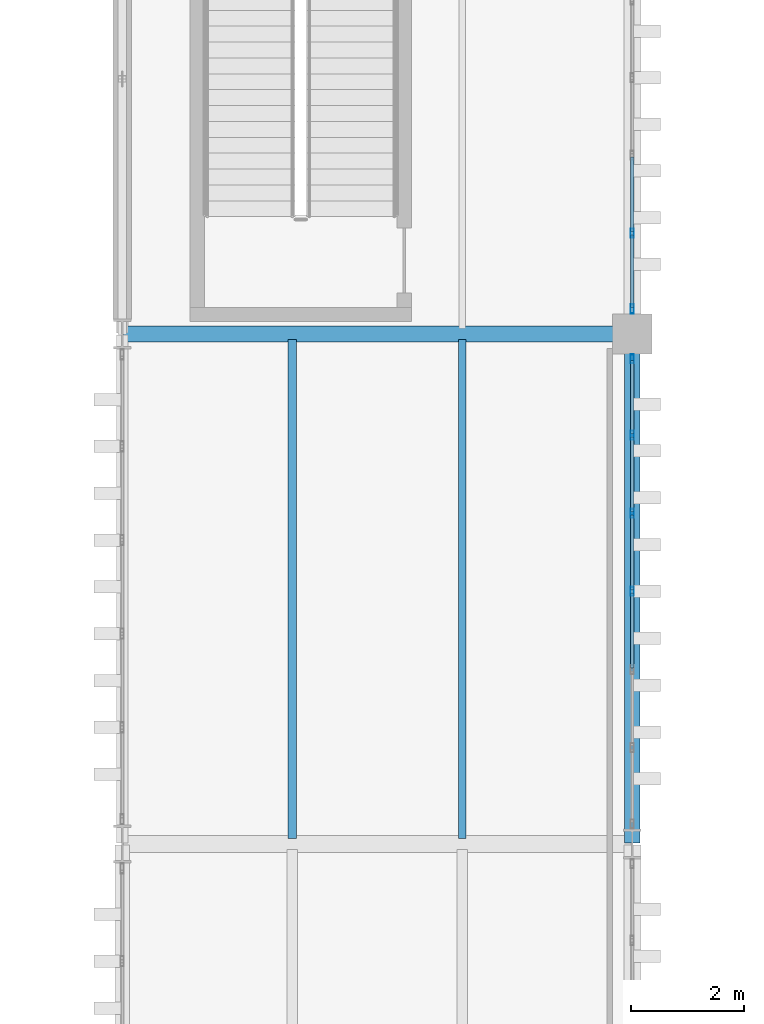
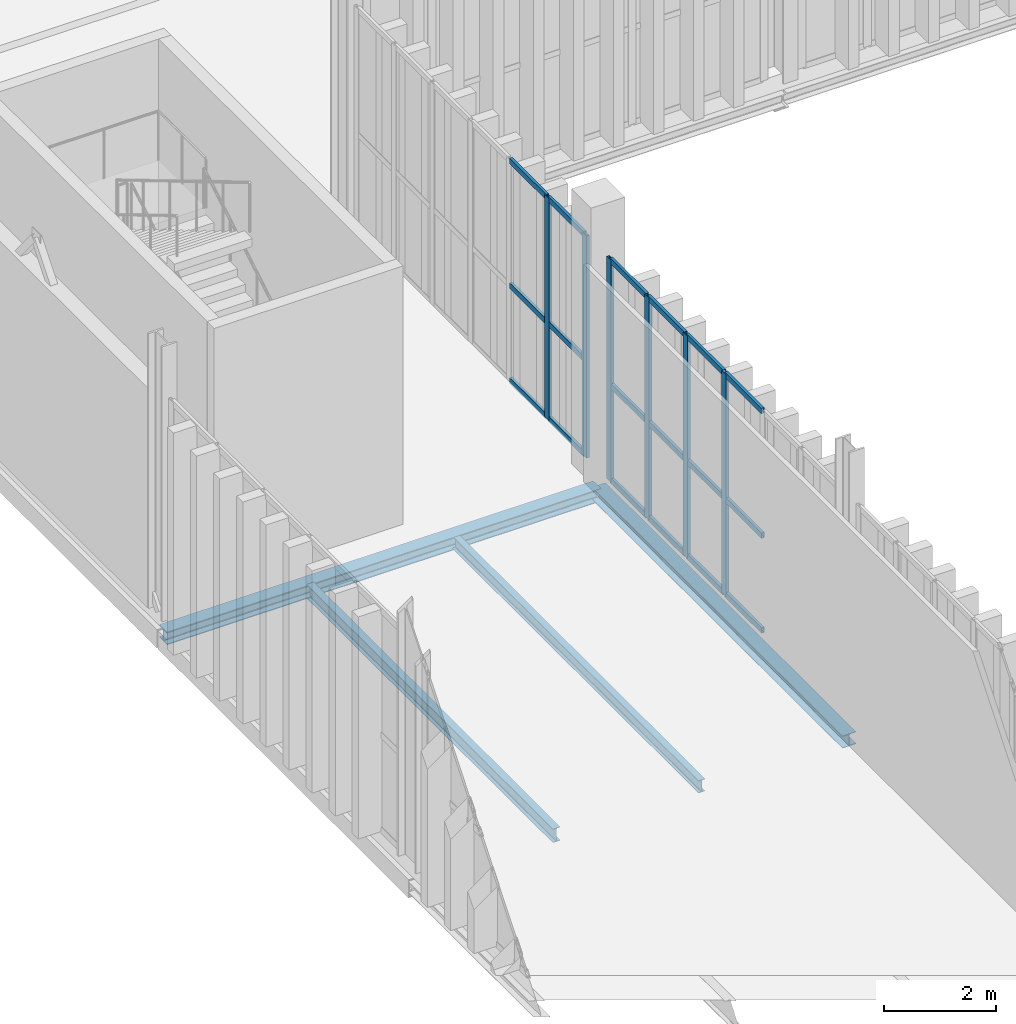
# One storey, part 137 of 237: 24 members, 4 beams, 2 elements without a shape of their own.
"""IFC4 building model written with IfcOpenShell, lengths in metres."""

from ifc_helpers import new_model, si_unit, direction, frame, origin, origin_2d, place, context, subcontext, project, spatial, hollow_rectangle, i_section, extrude, material, layer, layer_set, material_profile, profile_set, type_object, element, aggregate, save


model = new_model("IFC4")

# Units and contexts
model_context = context("Model", 3, precision=1e-05, world=origin(), true_north=direction((0.0, 1.0)))
body_context = subcontext(model_context, "Body", "Model", "MODEL_VIEW")
ifc_project = project(units=[si_unit("LENGTHUNIT", "METRE"), si_unit("AREAUNIT", "SQUARE_METRE"), si_unit("VOLUMEUNIT", "CUBIC_METRE"), si_unit("PLANEANGLEUNIT", "RADIAN"), si_unit("MASSUNIT", "GRAM", prefix="KILO")], contexts=[model_context])

# Site, building, storey
site_placement = place(None, origin())
site = spatial("IfcSite", under=ifc_project, at=site_placement, CompositionType="ELEMENT")
building_placement = place(site_placement, origin())
building = spatial("IfcBuilding", under=site, at=building_placement, Name="Barlavento Convention Centre", CompositionType="ELEMENT")
storey_placement = place(building_placement, frame((0.0, 0.0, 12.0)))
storey = spatial("IfcBuildingStorey", under=building, at=storey_placement, Name="L02", CompositionType="ELEMENT", Elevation=12.0)

# Curtain wall, members
ifc_material_1 = material(Name="Powder-coated aluminium and Low-E glass", Category="aluminium")
ifc_layer = layer(ifc_material_1, 0.195068359375)
ifc_layer_set = layer_set([ifc_layer], Name="ARC-CW-PATIO-A")
curtain_wall_type = type_object("IfcCurtainWallType", Name="ARC-CW-PATIO-A", PredefinedType="NOTDEFINED", material=ifc_layer_set)
curtain_wall_1_placement = place(storey_placement, origin())
curtain_wall_1 = element("IfcCurtainWall", 1, at=curtain_wall_1_placement, inside=storey, type_object=curtain_wall_type, Name="L02 unitised curtain wall CW11", PredefinedType="NOTDEFINED")
ifc_material_2 = material(Name="Powder-coated aluminium", Category="aluminium")
ifc_material_profile_1 = material_profile(ifc_material_2, hollow_rectangle(XDim=0.06005859375, YDim=0.159912109375, WallThickness=0.00390625, at=origin_2d()), Name="AL-MULL 60x160x4")
ifc_profile_set_1 = profile_set([ifc_material_profile_1], Name="Powder-coated aluminium")
member_type_1 = type_object("IfcMemberType", Name="ARC-CWM-60X160", PredefinedType="MULLION", material=ifc_profile_set_1)
member_1_placement = place(storey_placement, frame((135.0, 76.4560546875, 0.0), z_axis=(0.0, 0.0, 1.0), x_axis=(-1.0, 0.0, 0.0)))
member_1 = element("IfcMember", 2, at=member_1_placement, type_object=member_type_1, Name="CW11 mullion 4", PredefinedType="MULLION", context=body_context, shape_type="SweptSolid", body=[
    extrude(hollow_rectangle(XDim=0.06005859375, YDim=0.159912109375, WallThickness=0.00390625, at=origin_2d()), origin(), (0.0, 0.0, 1.0), 4.85009765625),
])
member_2_placement = place(storey_placement, frame((135.0, 77.833984375, 0.0), z_axis=(0.0, 0.0, 1.0), x_axis=(-1.0, 0.0, 0.0)))
member_2 = element("IfcMember", 3, at=member_2_placement, type_object=member_type_1, Name="CW11 mullion 5", PredefinedType="MULLION", context=body_context, shape_type="SweptSolid", body=[
    extrude(hollow_rectangle(XDim=0.06005859375, YDim=0.159912109375, WallThickness=0.00390625, at=origin_2d()), origin(), (0.0, 0.0, 1.0), 4.85009765625),
])
member_3_placement = place(storey_placement, frame((135.0, 79.2119140625, 0.0), z_axis=(0.0, 0.0, 1.0), x_axis=(-1.0, 0.0, 0.0)))
member_3 = element("IfcMember", 4, at=member_3_placement, type_object=member_type_1, Name="CW11 mullion 6", PredefinedType="MULLION", context=body_context, shape_type="SweptSolid", body=[
    extrude(hollow_rectangle(XDim=0.06005859375, YDim=0.159912109375, WallThickness=0.00390625, at=origin_2d()), origin(), (0.0, 0.0, 1.0), 4.85009765625),
])
member_4_placement = place(storey_placement, frame((135.0, 80.56005859375, 0.0), z_axis=(0.0, 0.0, 1.0), x_axis=(-1.0, 0.0, 0.0)))
member_4 = element("IfcMember", 5, at=member_4_placement, type_object=member_type_1, Name="CW11 mullion 7", PredefinedType="MULLION", context=body_context, shape_type="SweptSolid", body=[
    extrude(hollow_rectangle(XDim=0.06005859375, YDim=0.159912109375, WallThickness=0.00390625, at=origin_2d()), origin(), (0.0, 0.0, 1.0), 4.85009765625),
])

curtain_wall_2_placement = place(storey_placement, origin())
curtain_wall_2 = element("IfcCurtainWall", 6, at=curtain_wall_2_placement, inside=storey, type_object=curtain_wall_type, Name="L02 unitised curtain wall CW11", PredefinedType="NOTDEFINED")
member_5_placement = place(storey_placement, frame((135.0, 81.43994140625, 0.0), z_axis=(0.0, 0.0, 1.0), x_axis=(-1.0, 0.0, 0.0)))
member_5 = element("IfcMember", 7, at=member_5_placement, type_object=member_type_1, Name="CW11 mullion 1", PredefinedType="MULLION", context=body_context, shape_type="SweptSolid", body=[
    extrude(hollow_rectangle(XDim=0.06005859375, YDim=0.159912109375, WallThickness=0.00390625, at=origin_2d()), origin(), (0.0, 0.0, 1.0), 4.85009765625),
])
member_6_placement = place(storey_placement, frame((135.0, 82.780029296875, 0.0), z_axis=(0.0, 0.0, 1.0), x_axis=(-1.0, 0.0, 0.0)))
member_6 = element("IfcMember", 8, at=member_6_placement, type_object=member_type_1, Name="CW11 mullion 2", PredefinedType="MULLION", context=body_context, shape_type="SweptSolid", body=[
    extrude(hollow_rectangle(XDim=0.06005859375, YDim=0.159912109375, WallThickness=0.00390625, at=origin_2d()), origin(), (0.0, 0.0, 1.0), 4.85009765625),
])

# Member
ifc_material_profile_2 = material_profile(ifc_material_2, hollow_rectangle(XDim=0.06005859375, YDim=0.1201171875, WallThickness=0.00390625, at=origin_2d()), Name="AL-TRAN 60x120x4")
ifc_profile_set_2 = profile_set([ifc_material_profile_2], Name="Powder-coated aluminium")
member_type_2 = type_object("IfcMemberType", Name="ARC-CWT-60X120", PredefinedType="USERDEFINED", material=ifc_profile_set_2)
member_7_placement = place(storey_placement, frame((135.0, 75.10791015625, 0.030029296875), z_axis=(0.0, 1.0, 0.0), x_axis=(-1.0, 0.0, 0.0)))
member_7 = element("IfcMember", 9, at=member_7_placement, type_object=member_type_2, Name="CW11 transom 3.1", ObjectType="TRANSOM", PredefinedType="USERDEFINED", context=body_context, shape_type="SweptSolid", body=[
    extrude(hollow_rectangle(XDim=0.06005859375, YDim=0.1201171875, WallThickness=0.00390625, at=origin_2d()), origin(), (0.0, 0.0, 1.0), 1.318115234375),
])

member_8_placement = place(storey_placement, frame((135.0, 75.10791015625, 2.10009765625), z_axis=(0.0, 1.0, 0.0), x_axis=(-1.0, 0.0, 0.0)))
member_8 = element("IfcMember", 10, at=member_8_placement, type_object=member_type_2, Name="CW11 transom 3.2", ObjectType="TRANSOM", PredefinedType="USERDEFINED", context=body_context, shape_type="SweptSolid", body=[
    extrude(hollow_rectangle(XDim=0.06005859375, YDim=0.1201171875, WallThickness=0.00390625, at=origin_2d()), origin(), (0.0, 0.0, 1.0), 1.318115234375),
])

member_9_placement = place(storey_placement, frame((135.0, 75.10791015625, 4.820068359375), z_axis=(0.0, 1.0, 0.0), x_axis=(-1.0, 0.0, 0.0)))
member_9 = element("IfcMember", 11, at=member_9_placement, type_object=member_type_2, Name="CW11 transom 3.3", ObjectType="TRANSOM", PredefinedType="USERDEFINED", context=body_context, shape_type="SweptSolid", body=[
    extrude(hollow_rectangle(XDim=0.06005859375, YDim=0.1201171875, WallThickness=0.00390625, at=origin_2d()), origin(), (0.0, 0.0, 1.0), 1.318115234375),
])

member_10_placement = place(storey_placement, frame((135.0, 76.486083984375, 0.030029296875), z_axis=(0.0, 1.0, 0.0), x_axis=(-1.0, 0.0, 0.0)))
member_10 = element("IfcMember", 12, at=member_10_placement, type_object=member_type_2, Name="CW11 transom 4.1", ObjectType="TRANSOM", PredefinedType="USERDEFINED", context=body_context, shape_type="SweptSolid", body=[
    extrude(hollow_rectangle(XDim=0.06005859375, YDim=0.1201171875, WallThickness=0.00390625, at=origin_2d()), origin(), (0.0, 0.0, 1.0), 1.31787109375),
])

member_11_placement = place(storey_placement, frame((135.0, 76.486083984375, 2.10009765625), z_axis=(0.0, 1.0, 0.0), x_axis=(-1.0, 0.0, 0.0)))
member_11 = element("IfcMember", 13, at=member_11_placement, type_object=member_type_2, Name="CW11 transom 4.2", ObjectType="TRANSOM", PredefinedType="USERDEFINED", context=body_context, shape_type="SweptSolid", body=[
    extrude(hollow_rectangle(XDim=0.06005859375, YDim=0.1201171875, WallThickness=0.00390625, at=origin_2d()), origin(), (0.0, 0.0, 1.0), 1.31787109375),
])

member_12_placement = place(storey_placement, frame((135.0, 76.486083984375, 4.820068359375), z_axis=(0.0, 1.0, 0.0), x_axis=(-1.0, 0.0, 0.0)))
member_12 = element("IfcMember", 14, at=member_12_placement, type_object=member_type_2, Name="CW11 transom 4.3", ObjectType="TRANSOM", PredefinedType="USERDEFINED", context=body_context, shape_type="SweptSolid", body=[
    extrude(hollow_rectangle(XDim=0.06005859375, YDim=0.1201171875, WallThickness=0.00390625, at=origin_2d()), origin(), (0.0, 0.0, 1.0), 1.31787109375),
])

member_13_placement = place(storey_placement, frame((135.0, 77.864013671875, 0.030029296875), z_axis=(0.0, 1.0, 0.0), x_axis=(-1.0, 0.0, 0.0)))
member_13 = element("IfcMember", 15, at=member_13_placement, type_object=member_type_2, Name="CW11 transom 5.1", ObjectType="TRANSOM", PredefinedType="USERDEFINED", context=body_context, shape_type="SweptSolid", body=[
    extrude(hollow_rectangle(XDim=0.06005859375, YDim=0.1201171875, WallThickness=0.00390625, at=origin_2d()), origin(), (0.0, 0.0, 1.0), 1.31787109375),
])

member_14_placement = place(storey_placement, frame((135.0, 77.864013671875, 2.10009765625), z_axis=(0.0, 1.0, 0.0), x_axis=(-1.0, 0.0, 0.0)))
member_14 = element("IfcMember", 16, at=member_14_placement, type_object=member_type_2, Name="CW11 transom 5.2", ObjectType="TRANSOM", PredefinedType="USERDEFINED", context=body_context, shape_type="SweptSolid", body=[
    extrude(hollow_rectangle(XDim=0.06005859375, YDim=0.1201171875, WallThickness=0.00390625, at=origin_2d()), origin(), (0.0, 0.0, 1.0), 1.31787109375),
])

member_15_placement = place(storey_placement, frame((135.0, 77.864013671875, 4.820068359375), z_axis=(0.0, 1.0, 0.0), x_axis=(-1.0, 0.0, 0.0)))
member_15 = element("IfcMember", 17, at=member_15_placement, type_object=member_type_2, Name="CW11 transom 5.3", ObjectType="TRANSOM", PredefinedType="USERDEFINED", context=body_context, shape_type="SweptSolid", body=[
    extrude(hollow_rectangle(XDim=0.06005859375, YDim=0.1201171875, WallThickness=0.00390625, at=origin_2d()), origin(), (0.0, 0.0, 1.0), 1.31787109375),
])

member_16_placement = place(storey_placement, frame((135.0, 79.241943359375, 0.030029296875), z_axis=(0.0, 1.0, 0.0), x_axis=(-1.0, 0.0, 0.0)))
member_16 = element("IfcMember", 18, at=member_16_placement, type_object=member_type_2, Name="CW11 transom 6.1", ObjectType="TRANSOM", PredefinedType="USERDEFINED", context=body_context, shape_type="SweptSolid", body=[
    extrude(hollow_rectangle(XDim=0.06005859375, YDim=0.1201171875, WallThickness=0.00390625, at=origin_2d()), origin(), (0.0, 0.0, 1.0), 1.2880859375),
])

member_17_placement = place(storey_placement, frame((135.0, 79.241943359375, 2.10009765625), z_axis=(0.0, 1.0, 0.0), x_axis=(-1.0, 0.0, 0.0)))
member_17 = element("IfcMember", 19, at=member_17_placement, type_object=member_type_2, Name="CW11 transom 6.2", ObjectType="TRANSOM", PredefinedType="USERDEFINED", context=body_context, shape_type="SweptSolid", body=[
    extrude(hollow_rectangle(XDim=0.06005859375, YDim=0.1201171875, WallThickness=0.00390625, at=origin_2d()), origin(), (0.0, 0.0, 1.0), 1.2880859375),
])

member_18_placement = place(storey_placement, frame((135.0, 79.241943359375, 4.820068359375), z_axis=(0.0, 1.0, 0.0), x_axis=(-1.0, 0.0, 0.0)))
member_18 = element("IfcMember", 20, at=member_18_placement, type_object=member_type_2, Name="CW11 transom 6.3", ObjectType="TRANSOM", PredefinedType="USERDEFINED", context=body_context, shape_type="SweptSolid", body=[
    extrude(hollow_rectangle(XDim=0.06005859375, YDim=0.1201171875, WallThickness=0.00390625, at=origin_2d()), origin(), (0.0, 0.0, 1.0), 1.2880859375),
])

aggregate(curtain_wall_1, [member_1, member_2, member_3, member_4, member_7, member_8, member_9, member_10, member_11, member_12, member_13, member_14, member_15, member_16, member_17, member_18])

member_19_placement = place(storey_placement, frame((135.0, 81.469970703125, 0.030029296875), z_axis=(0.0, 1.0, 0.0), x_axis=(-1.0, 0.0, 0.0)))
member_19 = element("IfcMember", 21, at=member_19_placement, type_object=member_type_2, Name="CW11 transom 1.1", ObjectType="TRANSOM", PredefinedType="USERDEFINED", context=body_context, shape_type="SweptSolid", body=[
    extrude(hollow_rectangle(XDim=0.06005859375, YDim=0.1201171875, WallThickness=0.00390625, at=origin_2d()), origin(), (0.0, 0.0, 1.0), 1.280029296875),
])

member_20_placement = place(storey_placement, frame((135.0, 81.469970703125, 2.10009765625), z_axis=(0.0, 1.0, 0.0), x_axis=(-1.0, 0.0, 0.0)))
member_20 = element("IfcMember", 22, at=member_20_placement, type_object=member_type_2, Name="CW11 transom 1.2", ObjectType="TRANSOM", PredefinedType="USERDEFINED", context=body_context, shape_type="SweptSolid", body=[
    extrude(hollow_rectangle(XDim=0.06005859375, YDim=0.1201171875, WallThickness=0.00390625, at=origin_2d()), origin(), (0.0, 0.0, 1.0), 1.280029296875),
])

member_21_placement = place(storey_placement, frame((135.0, 81.469970703125, 4.820068359375), z_axis=(0.0, 1.0, 0.0), x_axis=(-1.0, 0.0, 0.0)))
member_21 = element("IfcMember", 23, at=member_21_placement, type_object=member_type_2, Name="CW11 transom 1.3", ObjectType="TRANSOM", PredefinedType="USERDEFINED", context=body_context, shape_type="SweptSolid", body=[
    extrude(hollow_rectangle(XDim=0.06005859375, YDim=0.1201171875, WallThickness=0.00390625, at=origin_2d()), origin(), (0.0, 0.0, 1.0), 1.280029296875),
])

member_22_placement = place(storey_placement, frame((135.0, 82.81005859375, 0.030029296875), z_axis=(0.0, 1.0, 0.0), x_axis=(-1.0, 0.0, 0.0)))
member_22 = element("IfcMember", 24, at=member_22_placement, type_object=member_type_2, Name="CW11 transom 2.1", ObjectType="TRANSOM", PredefinedType="USERDEFINED", context=body_context, shape_type="SweptSolid", body=[
    extrude(hollow_rectangle(XDim=0.06005859375, YDim=0.1201171875, WallThickness=0.00390625, at=origin_2d()), origin(), (0.0, 0.0, 1.0), 1.31005859375),
])

member_23_placement = place(storey_placement, frame((135.0, 82.81005859375, 2.10009765625), z_axis=(0.0, 1.0, 0.0), x_axis=(-1.0, 0.0, 0.0)))
member_23 = element("IfcMember", 25, at=member_23_placement, type_object=member_type_2, Name="CW11 transom 2.2", ObjectType="TRANSOM", PredefinedType="USERDEFINED", context=body_context, shape_type="SweptSolid", body=[
    extrude(hollow_rectangle(XDim=0.06005859375, YDim=0.1201171875, WallThickness=0.00390625, at=origin_2d()), origin(), (0.0, 0.0, 1.0), 1.31005859375),
])

member_24_placement = place(storey_placement, frame((135.0, 82.81005859375, 4.820068359375), z_axis=(0.0, 1.0, 0.0), x_axis=(-1.0, 0.0, 0.0)))
member_24 = element("IfcMember", 26, at=member_24_placement, type_object=member_type_2, Name="CW11 transom 2.3", ObjectType="TRANSOM", PredefinedType="USERDEFINED", context=body_context, shape_type="SweptSolid", body=[
    extrude(hollow_rectangle(XDim=0.06005859375, YDim=0.1201171875, WallThickness=0.00390625, at=origin_2d()), origin(), (0.0, 0.0, 1.0), 1.31005859375),
])

aggregate(curtain_wall_2, [member_5, member_6, member_19, member_20, member_21, member_22, member_23, member_24])

# Beams
ifc_material_3 = material(Name="Steel S355", Category="steel")
ifc_material_profile_3 = material_profile(ifc_material_3, i_section(OverallWidth=0.135009765625, OverallDepth=0.27001953125, WebThickness=0.006591796875, FlangeThickness=0.01025390625, FilletRadius=0.014892578125, at=origin_2d()), Name="IPE 270")
ifc_profile_set_3 = profile_set([ifc_material_profile_3], Name="Steel S355")
beam_type_1 = type_object("IfcBeamType", Name="STR-BM-JST-IPE270", PredefinedType="JOIST", material=ifc_profile_set_3)
beam_1_placement = place(storey_placement, frame((132.0, 72.094970703125, -0.4951171875), z_axis=(0.0, 1.0, 0.0), x_axis=(-1.0, 0.0, 0.0)))
element("IfcBeam", 27, at=beam_1_placement, inside=storey, type_object=beam_type_1, Name="L02 composite floor joist SJ08", PredefinedType="JOIST", context=body_context, shape_type="SweptSolid", body=[
    extrude(i_section(OverallWidth=0.135009765625, OverallDepth=0.27001953125, WebThickness=0.006591796875, FlangeThickness=0.01025390625, FilletRadius=0.014892578125, at=origin_2d()), origin(), (0.0, 0.0, 1.0), 8.81005859375),
])
ifc_material_profile_4 = material_profile(ifc_material_3, i_section(OverallWidth=0.14990234375, OverallDepth=0.300048828125, WebThickness=0.007080078125, FlangeThickness=0.0107421875, FilletRadius=0.014892578125, at=origin_2d()), Name="IPE 300")
ifc_profile_set_4 = profile_set([ifc_material_profile_4], Name="Steel S355")
beam_type_2 = type_object("IfcBeamType", Name="STR-BM-JST-IPE300", PredefinedType="JOIST", material=ifc_profile_set_4)
beam_2_placement = place(storey_placement, frame((129.0, 72.094970703125, -0.510009765625), z_axis=(0.0, 1.0, 0.0), x_axis=(-1.0, 0.0, 0.0)))
element("IfcBeam", 28, at=beam_2_placement, inside=storey, type_object=beam_type_2, Name="L02 composite floor joist SJ07", PredefinedType="JOIST", context=body_context, shape_type="SweptSolid", body=[
    extrude(i_section(OverallWidth=0.14990234375, OverallDepth=0.300048828125, WebThickness=0.007080078125, FlangeThickness=0.0107421875, FilletRadius=0.014892578125, at=origin_2d()), origin(), (0.0, 0.0, 1.0), 8.81005859375),
])
ifc_material_profile_5 = material_profile(ifc_material_3, i_section(OverallWidth=0.280029296875, OverallDepth=0.280029296875, WebThickness=0.010498046875, FlangeThickness=0.01806640625, FilletRadius=0.02392578125, at=origin_2d()), Name="HEB 280")
ifc_profile_set_5 = profile_set([ifc_material_profile_5], Name="Steel S355")
beam_type_3 = type_object("IfcBeamType", Name="STR-BM-PRI-HEB280", PredefinedType="BEAM", material=ifc_profile_set_5)
beam_3_placement = place(storey_placement, frame((126.02001953125, 81.0, -0.5), z_axis=(1.0, 0.0, 0.0), x_axis=(0.0, 1.0, 0.0)))
element("IfcBeam", 29, at=beam_3_placement, inside=storey, type_object=beam_type_3, Name="L02 primary girder BG15", PredefinedType="BEAM", context=body_context, shape_type="SweptSolid", body=[
    extrude(i_section(OverallWidth=0.280029296875, OverallDepth=0.280029296875, WebThickness=0.010498046875, FlangeThickness=0.01806640625, FilletRadius=0.02392578125, at=origin_2d()), origin(), (0.0, 0.0, 1.0), 8.9599609375),
])
ifc_material_profile_6 = material_profile(ifc_material_3, i_section(OverallWidth=0.280029296875, OverallDepth=0.27001953125, WebThickness=0.008056640625, FlangeThickness=0.012939453125, FilletRadius=0.02392578125, at=origin_2d()), Name="HEA 280")
ifc_profile_set_6 = profile_set([ifc_material_profile_6], Name="Steel S355")
beam_type_4 = type_object("IfcBeamType", Name="STR-BM-SPN-HEA280", PredefinedType="SPANDREL", material=ifc_profile_set_6)
beam_4_placement = place(storey_placement, frame((135.0, 72.02001953125, -0.4951171875), z_axis=(0.0, 1.0, 0.0), x_axis=(-1.0, 0.0, 0.0)))
element("IfcBeam", 30, at=beam_4_placement, inside=storey, type_object=beam_type_4, Name="L02 grid girder SP03", PredefinedType="SPANDREL", context=body_context, shape_type="SweptSolid", body=[
    extrude(i_section(OverallWidth=0.280029296875, OverallDepth=0.27001953125, WebThickness=0.008056640625, FlangeThickness=0.012939453125, FilletRadius=0.02392578125, at=origin_2d()), origin(), (0.0, 0.0, 1.0), 8.9599609375),
])

save(model, "model.ifc")
